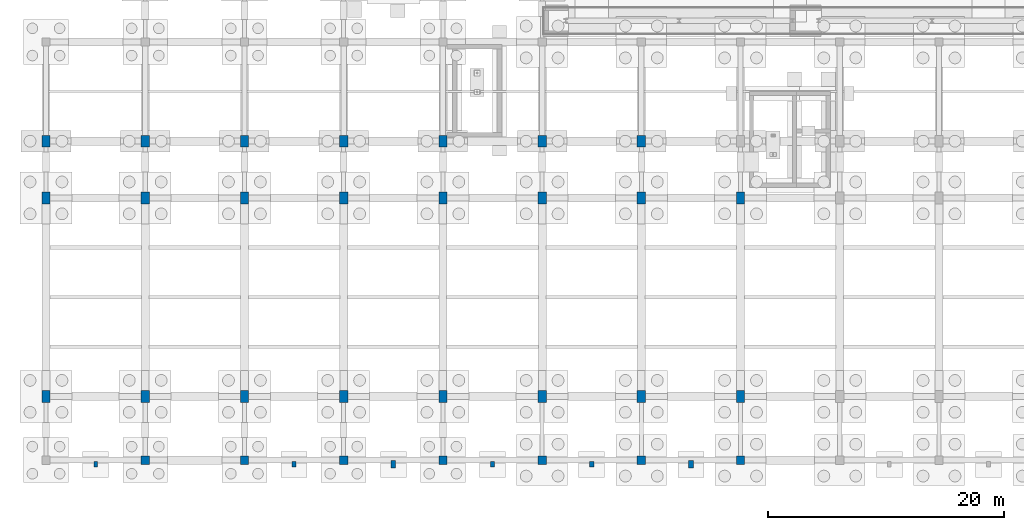
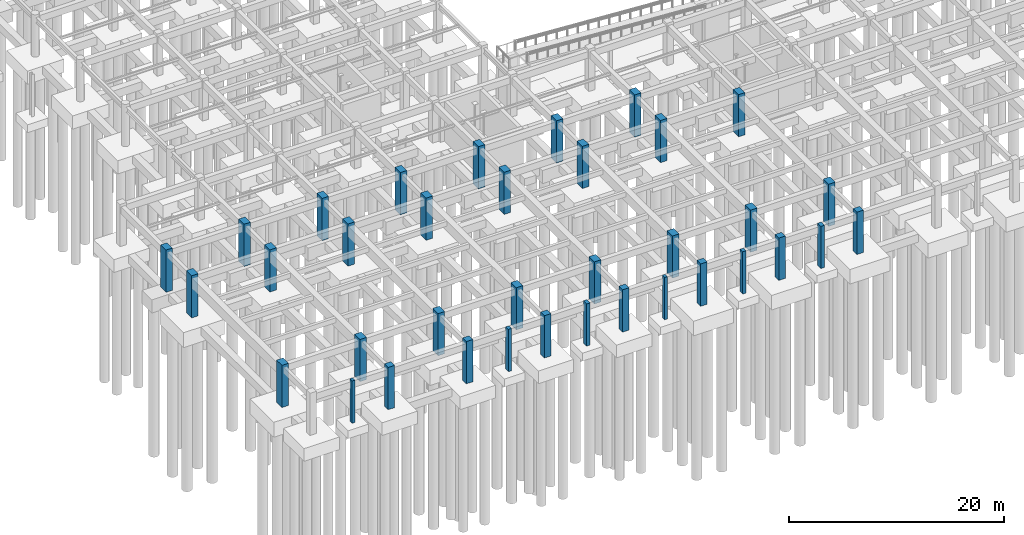
# One storey, part 11 of 49: 36 columns.
"""IFC4 building model written with IfcOpenShell, lengths in metres."""

from ifc_helpers import new_model, si_unit, direction, frame, origin, origin_2d, place, context, subcontext, project, spatial, rectangle, extrude, material, material_profile, profile_set, type_object, element, save


model = new_model("IFC4")

# Units and contexts
model_context = context("Model", 3, precision=1e-05, world=origin(), true_north=direction((0.0, 1.0)))
body_context = subcontext(model_context, "Body", "Model", "MODEL_VIEW")
ifc_project = project(units=[si_unit("LENGTHUNIT", "METRE"), si_unit("AREAUNIT", "SQUARE_METRE"), si_unit("VOLUMEUNIT", "CUBIC_METRE"), si_unit("PLANEANGLEUNIT", "RADIAN"), si_unit("MASSUNIT", "GRAM", prefix="KILO")], contexts=[model_context])

# Site, building, storey
site_placement = place(None, origin())
site = spatial("IfcSite", under=ifc_project, at=site_placement, CompositionType="ELEMENT")
building_placement = place(site_placement, origin())
building = spatial("IfcBuilding", under=site, at=building_placement, Name="Krzemoval Escarpment Law Courts", CompositionType="ELEMENT")
storey_placement = place(building_placement, frame((0.0, 0.0, -4.800048828125)))
storey = spatial("IfcBuildingStorey", under=building, at=storey_placement, Name="B1", CompositionType="ELEMENT", Elevation=-4.800048828125)

# Columns
ifc_material_1 = material(Name="Concrete C40/50", Category="concrete")
ifc_material_profile_1 = material_profile(ifc_material_1, rectangle(XDim=0.699951171875, YDim=0.699951171875, at=origin_2d()), Name="RC 700x700")
ifc_profile_set_1 = profile_set([ifc_material_profile_1], Name="Concrete C40/50")
column_type_1 = type_object("IfcColumnType", Name="COL-RC-700", PredefinedType="COLUMN", material=ifc_profile_set_1)
for number, where, z_axis, x_axis, name in (
    (1, (8.39990234375, 0.0, 0.0), (0.0, 0.0, 1.0), (1.0, 0.0, 0.0), "Column FC-B1-0010"),
    (2, (16.800048828125, 0.0, 0.0), (0.0, 0.0, 1.0), (1.0, 0.0, 0.0), "Column FC-B1-0027"),
    (3, (25.199951171875, 0.0, 0.0), (0.0, 0.0, 1.0), (1.0, 0.0, 0.0), "Column FC-B1-0044"),
    (4, (33.60009765625, 0.0, 0.0), (0.0, 0.0, 1.0), (1.0, 0.0, 0.0), "Column FC-B1-0061"),
    (5, (42.0, 0.0, 0.0), (0.0, 0.0, 1.0), (1.0, 0.0, 0.0), "Column FC-B1-0078"),
    (6, (50.39990234375, 0.0, 0.0), (0.0, 0.0, 1.0), (1.0, 0.0, 0.0), "Column FC-B1-0095"),
    (7, (58.800048828125, 0.0, 0.0), (0.0, 0.0, 1.0), (1.0, 0.0, 0.0), "Column FC-B1-0103"),
):
    element("IfcColumn", number, at=place(storey_placement, frame(where, z_axis=z_axis, x_axis=x_axis)), inside=storey, type_object=column_type_1, Name=name, PredefinedType="COLUMN", context=body_context, shape_type="SweptSolid", body=[
        extrude(rectangle(XDim=0.699951171875, YDim=0.699951171875, at=origin_2d()), origin(), (0.0, 0.0, 1.0), 4.800048828125),
    ])
ifc_material_2 = material(Name="Concrete C50/60", Category="concrete")
ifc_material_profile_2 = material_profile(ifc_material_2, rectangle(XDim=0.699951171875, YDim=1.0, at=origin_2d()), Name="RC 700x1000")
ifc_profile_set_2 = profile_set([ifc_material_profile_2], Name="Concrete C50/60")
column_type_2 = type_object("IfcColumnType", Name="COL-RC-700x1000", PredefinedType="COLUMN", material=ifc_profile_set_2)
for number, where, z_axis, x_axis, name in (
    (8, (0.0, 5.39990234375, 0.0), (0.0, 0.0, 1.0), (1.0, 0.0, 0.0), "Column FC-B1-0002"),
    (9, (0.0, 22.199951171875, 0.0), (0.0, 0.0, 1.0), (1.0, 0.0, 0.0), "Column FC-B1-0003"),
    (10, (0.0, 27.0, 0.0), (0.0, 0.0, 1.0), (1.0, 0.0, 0.0), "Column FC-B1-0004"),
    (11, (8.39990234375, 5.39990234375, 0.0), (0.0, 0.0, 1.0), (1.0, 0.0, 0.0), "Column FC-B1-0011"),
    (12, (8.39990234375, 22.199951171875, 0.0), (0.0, 0.0, 1.0), (1.0, 0.0, 0.0), "Column FC-B1-0012"),
    (13, (8.39990234375, 27.0, 0.0), (0.0, 0.0, 1.0), (1.0, 0.0, 0.0), "Column FC-B1-0013"),
    (14, (16.800048828125, 5.39990234375, 0.0), (0.0, 0.0, 1.0), (1.0, 0.0, 0.0), "Column FC-B1-0028"),
    (15, (16.800048828125, 22.199951171875, 0.0), (0.0, 0.0, 1.0), (1.0, 0.0, 0.0), "Column FC-B1-0029"),
    (16, (16.800048828125, 27.0, 0.0), (0.0, 0.0, 1.0), (1.0, 0.0, 0.0), "Column FC-B1-0030"),
    (17, (25.199951171875, 5.39990234375, 0.0), (0.0, 0.0, 1.0), (1.0, 0.0, 0.0), "Column FC-B1-0045"),
    (18, (25.199951171875, 22.199951171875, 0.0), (0.0, 0.0, 1.0), (1.0, 0.0, 0.0), "Column FC-B1-0046"),
    (19, (25.199951171875, 27.0, 0.0), (0.0, 0.0, 1.0), (1.0, 0.0, 0.0), "Column FC-B1-0047"),
    (20, (33.60009765625, 5.39990234375, 0.0), (0.0, 0.0, 1.0), (1.0, 0.0, 0.0), "Column FC-B1-0062"),
    (21, (33.60009765625, 22.199951171875, 0.0), (0.0, 0.0, 1.0), (1.0, 0.0, 0.0), "Column FC-B1-0063"),
    (22, (33.60009765625, 27.0, 0.0), (0.0, 0.0, 1.0), (1.0, 0.0, 0.0), "Column FC-B1-0064"),
    (23, (42.0, 5.39990234375, 0.0), (0.0, 0.0, 1.0), (1.0, 0.0, 0.0), "Column FC-B1-0079"),
    (24, (42.0, 22.199951171875, 0.0), (0.0, 0.0, 1.0), (1.0, 0.0, 0.0), "Column FC-B1-0080"),
    (25, (42.0, 27.0, 0.0), (0.0, 0.0, 1.0), (1.0, 0.0, 0.0), "Column FC-B1-0081"),
    (26, (50.39990234375, 5.39990234375, 0.0), (0.0, 0.0, 1.0), (1.0, 0.0, 0.0), "Column FC-B1-0096"),
    (27, (50.39990234375, 22.199951171875, 0.0), (0.0, 0.0, 1.0), (1.0, 0.0, 0.0), "Column FC-B1-0097"),
    (28, (50.39990234375, 27.0, 0.0), (0.0, 0.0, 1.0), (1.0, 0.0, 0.0), "Column FC-B1-0098"),
    (29, (58.800048828125, 5.39990234375, 0.0), (0.0, 0.0, 1.0), (1.0, 0.0, 0.0), "Column FC-B1-0104"),
    (30, (58.800048828125, 22.199951171875, 0.0), (0.0, 0.0, 1.0), (1.0, 0.0, 0.0), "Column FC-B1-0105"),
):
    element("IfcColumn", number, at=place(storey_placement, frame(where, z_axis=z_axis, x_axis=x_axis)), inside=storey, type_object=column_type_2, Name=name, PredefinedType="COLUMN", context=body_context, shape_type="SweptSolid", body=[
        extrude(rectangle(XDim=0.699951171875, YDim=1.0, at=origin_2d()), origin(), (0.0, 0.0, 1.0), 4.800048828125),
    ])
ifc_material_3 = material(Name="Precast concrete C40/50", Category="concrete")
ifc_material_profile_3 = material_profile(ifc_material_3, rectangle(XDim=0.300048828125, YDim=0.449951171875, at=origin_2d()), Name="PIL 300x450")
ifc_profile_set_3 = profile_set([ifc_material_profile_3], Name="Precast concrete C40/50")
column_type_3 = type_object("IfcColumnType", Name="PIL-PC-300x450", PredefinedType="PILASTER", material=ifc_profile_set_3)
for number, where, z_axis, x_axis, name in (
    (31, (4.199951171875, -0.35009765625, 0.0), (0.0, 0.0, 1.0), (1.0, 0.0, 0.0), "Facade Pilaster PIL-B1-001"),
    (32, (37.800048828125, -0.35009765625, 0.0), (0.0, 0.0, 1.0), (1.0, 0.0, 0.0), "Facade Pilaster PIL-B1-016"),
):
    element("IfcColumn", number, at=place(storey_placement, frame(where, z_axis=z_axis, x_axis=x_axis)), inside=storey, type_object=column_type_3, Name=name, PredefinedType="PILASTER", context=body_context, shape_type="SweptSolid", body=[
        extrude(rectangle(XDim=0.300048828125, YDim=0.449951171875, at=origin_2d()), origin(), (0.0, 0.0, 1.0), 4.800048828125),
    ])
ifc_material_4 = material(Name="Precast concrete C40/50", Category="concrete")
ifc_material_profile_4 = material_profile(ifc_material_4, rectangle(XDim=0.35009765625, YDim=0.5, at=origin_2d()), Name="PIL 350x500")
ifc_profile_set_4 = profile_set([ifc_material_profile_4], Name="Precast concrete C40/50")
column_type_4 = type_object("IfcColumnType", Name="PIL-PC-350x500", PredefinedType="PILASTER", material=ifc_profile_set_4)
for number, where, z_axis, x_axis, name in (
    (33, (21.0, -0.35009765625, 0.0), (0.0, 0.0, 1.0), (1.0, 0.0, 0.0), "Facade Pilaster PIL-B1-006"),
    (34, (46.199951171875, -0.35009765625, 0.0), (0.0, 0.0, 1.0), (1.0, 0.0, 0.0), "Facade Pilaster PIL-B1-021"),
):
    element("IfcColumn", number, at=place(storey_placement, frame(where, z_axis=z_axis, x_axis=x_axis)), inside=storey, type_object=column_type_4, Name=name, PredefinedType="PILASTER", context=body_context, shape_type="SweptSolid", body=[
        extrude(rectangle(XDim=0.35009765625, YDim=0.5, at=origin_2d()), origin(), (0.0, 0.0, 1.0), 4.800048828125),
    ])
ifc_material_5 = material(Name="Precast concrete C40/50", Category="concrete")
ifc_material_profile_5 = material_profile(ifc_material_5, rectangle(XDim=0.39990234375, YDim=0.60009765625, at=origin_2d()), Name="PIL 400x600")
ifc_profile_set_5 = profile_set([ifc_material_profile_5], Name="Precast concrete C40/50")
column_type_5 = type_object("IfcColumnType", Name="PIL-PC-400x600", PredefinedType="PILASTER", material=ifc_profile_set_5)
for number, where, z_axis, x_axis, name in (
    (35, (29.39990234375, -0.35009765625, 0.0), (0.0, 0.0, 1.0), (1.0, 0.0, 0.0), "Facade Pilaster PIL-B1-011"),
    (36, (54.60009765625, -0.35009765625, 0.0), (0.0, 0.0, 1.0), (1.0, 0.0, 0.0), "Facade Pilaster PIL-B1-026"),
):
    element("IfcColumn", number, at=place(storey_placement, frame(where, z_axis=z_axis, x_axis=x_axis)), inside=storey, type_object=column_type_5, Name=name, PredefinedType="PILASTER", context=body_context, shape_type="SweptSolid", body=[
        extrude(rectangle(XDim=0.39990234375, YDim=0.60009765625, at=origin_2d()), origin(), (0.0, 0.0, 1.0), 4.800048828125),
    ])

save(model, "model.ifc")
